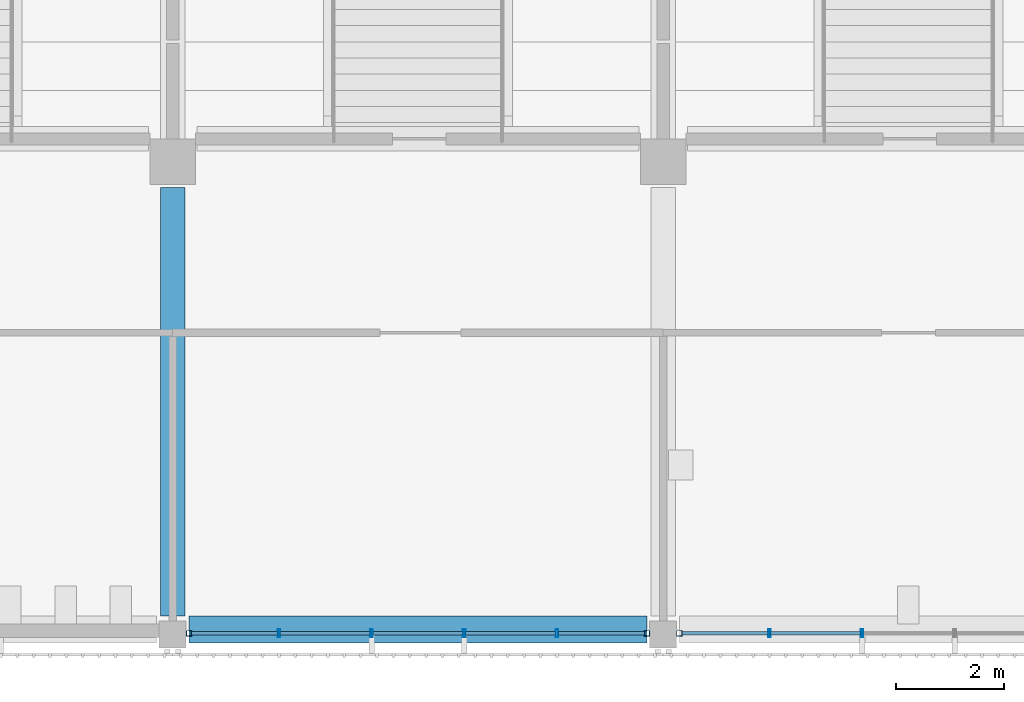
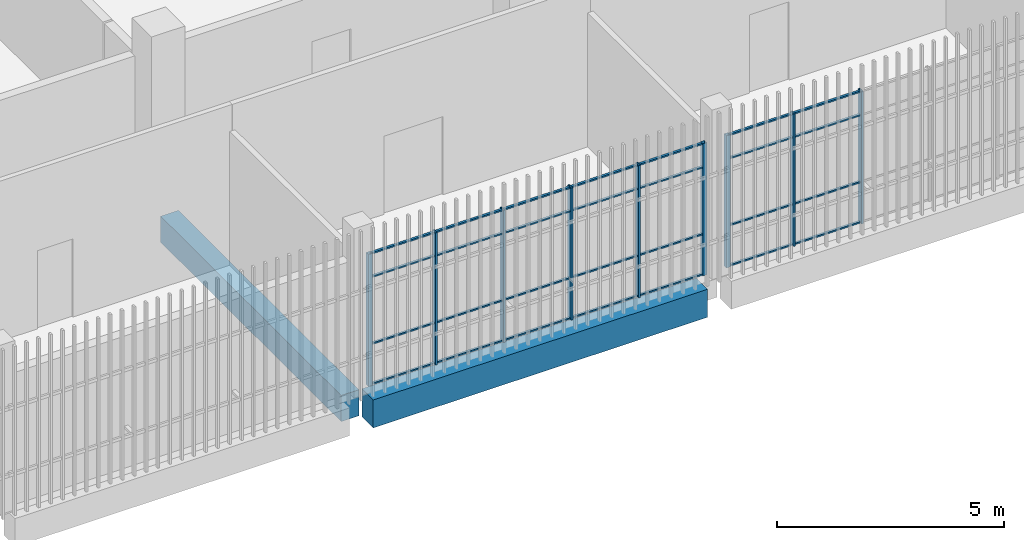
# One storey, part 22 of 139: 37 members, 2 beams, 2 elements without a shape of their own.
"""IFC4 building model written with IfcOpenShell, lengths in metres."""

import ifcopenshell
import ifcopenshell.guid

model = None  # the IFC model being written
_history = None  # IfcOwnerHistory: only IFC2X3 demands one
_inside = {}  # id of a spatial element -> (the spatial element, [elements in it])
_under = {}  # id of a project, library or spatial element -> (it, [spatial elements below it])
_declared = {}  # id of a project -> (the project, [libraries it declares])
_typed = {}  # id of a type object -> (the type object, [elements of that type])
_made_of = {}  # id of a material, layer set ... -> (it, [elements and type objects made of it])


def new_model(schema):
    """Start an empty IFC model of exactly this schema.

    Asked for "IFC4X3", IfcOpenShell would pick the latest addendum, in which some entities
    have other attributes; the version numbers below select the first issue.
    IFC2X3 requires an IfcOwnerHistory on every rooted entity: one is made here for all.
    """
    global model, _history
    if schema == "IFC4X3":
        model = ifcopenshell.file(schema_version=(4, 3, 0, 0))
    else:
        model = ifcopenshell.file(schema=schema)
    _inside.clear()
    _under.clear()
    _declared.clear()
    _typed.clear()
    _made_of.clear()
    _history = None
    if model.schema == "IFC2X3":
        org = make("IfcOrganization", Name="unknown")
        user = make(
            "IfcPersonAndOrganization",
            ThePerson=make("IfcPerson", FamilyName="unknown"),
            TheOrganization=org,
        )
        app = make(
            "IfcApplication",
            ApplicationDeveloper=org,
            Version="unknown",
            ApplicationFullName="unknown",
            ApplicationIdentifier="unknown",
        )
        _history = make(
            "IfcOwnerHistory",
            OwningUser=user,
            OwningApplication=app,
            ChangeAction="ADDED",
            CreationDate=0,
        )
    return model


def make(cls, **values):
    """One entity of the class cls with the attributes given. An attribute that is None is left unset."""
    return model.create_entity(
        cls, **{name: value for name, value in values.items() if value is not None}
    )


def rooted(cls, **values):
    """An entity with a GlobalId (a new one), such as an element, a storey or a relation."""
    return make(cls, GlobalId=ifcopenshell.guid.new(), OwnerHistory=_history, **values)


def si_unit(unit_type, name, prefix=None):
    """IfcSIUnit, for example si_unit("LENGTHUNIT", "METRE", prefix="MILLI")."""
    return make("IfcSIUnit", UnitType=unit_type, Prefix=prefix, Name=name)


def assignment(units):
    """IfcUnitAssignment: the units of a project."""
    return None if units is None else make("IfcUnitAssignment", Units=units)


def point(xyz):
    """IfcCartesianPoint."""
    return None if xyz is None else make("IfcCartesianPoint", Coordinates=xyz)


def direction(xyz):
    """IfcDirection."""
    return None if xyz is None else make("IfcDirection", DirectionRatios=xyz)


def frame(location, z_axis=None, x_axis=None):
    """IfcAxis2Placement3D, a coordinate frame: its origin and axes. An axis left out is left unset."""
    return make(
        "IfcAxis2Placement3D",
        Location=point(location),
        Axis=direction(z_axis),
        RefDirection=direction(x_axis),
    )


def frame_2d(location, x_axis=None):
    """IfcAxis2Placement2D, a coordinate frame in the plane: its origin and x axis."""
    return make(
        "IfcAxis2Placement2D", Location=point(location), RefDirection=direction(x_axis)
    )


def origin():
    """The frame at (0, 0, 0) with its axes left unset."""
    return frame((0.0, 0.0, 0.0))


def origin_2d():
    """The frame at (0, 0) in the plane with its x axis left unset."""
    return frame_2d((0.0, 0.0))


def place(relative_to, where):
    """IfcLocalPlacement: puts the frame where relative to a parent placement (None: the world)."""
    return make(
        "IfcLocalPlacement", PlacementRelTo=relative_to, RelativePlacement=where
    )


def context(
    kind, dimensions, precision=None, world=None, true_north=None, identifier=None
):
    """IfcGeometricRepresentationContext, for example the 3D "Model" context."""
    return make(
        "IfcGeometricRepresentationContext",
        ContextIdentifier=identifier,
        ContextType=kind,
        CoordinateSpaceDimension=dimensions,
        Precision=precision,
        WorldCoordinateSystem=world,
        TrueNorth=true_north,
    )


def subcontext(parent, identifier, kind, view, scale=None):
    """IfcGeometricRepresentationSubContext, for example "Body" below "Model"."""
    return make(
        "IfcGeometricRepresentationSubContext",
        ContextIdentifier=identifier,
        ContextType=kind,
        ParentContext=parent,
        TargetScale=scale,
        TargetView=view,
    )


def project(units=None, contexts=None):
    """IfcProject with its units and contexts."""
    return rooted(
        "IfcProject",
        Name="project",
        RepresentationContexts=contexts,
        UnitsInContext=assignment(units),
    )


def spatial(cls, under=None, at=None, **own):
    """A site, building, storey or space (cls), placed at a placement, below another one or the project."""
    s = rooted(cls, ObjectPlacement=at, **own)
    if under is not None:
        _under.setdefault(under.id(), (under, []))[1].append(s)
    return s


def profile(cls, at=None, kind="AREA", **sizes):
    """A parametric profile (cls). Its sizes go by their IFC names, for example OverallWidth=200.0."""
    return make(cls, ProfileType=kind, Position=at, **sizes)


def rectangle(**sizes):
    """IfcRectangleProfileDef."""
    return profile("IfcRectangleProfileDef", **sizes)


def hollow_rectangle(**sizes):
    """IfcRectangleHollowProfileDef."""
    return profile("IfcRectangleHollowProfileDef", **sizes)


def extrude(swept, where, along, depth):
    """IfcExtrudedAreaSolid: the profile swept, set in the frame where, extruded along a direction by depth."""
    return make(
        "IfcExtrudedAreaSolid",
        SweptArea=swept,
        Position=where,
        ExtrudedDirection=direction(along),
        Depth=depth,
    )


def shape(context_of_items, identifier, shape_type, items):
    """IfcShapeRepresentation: the items that make up one representation, for example the "Body"."""
    return make(
        "IfcShapeRepresentation",
        ContextOfItems=context_of_items,
        RepresentationIdentifier=identifier,
        RepresentationType=shape_type,
        Items=items,
    )


def material(Name=None, Category=None):
    """IfcMaterial."""
    return make("IfcMaterial", Name=Name, Category=Category)


def layer(
    of_material, thickness, ventilated=None, Name=None, Category=None, Priority=None
):
    """IfcMaterialLayer: one layer of a wall or slab, of a material (None: an air gap)."""
    return make(
        "IfcMaterialLayer",
        Material=of_material,
        LayerThickness=thickness,
        IsVentilated=ventilated,
        Name=Name,
        Category=Category,
        Priority=Priority,
    )


def layer_set(layers, Name=None):
    """IfcMaterialLayerSet."""
    return make("IfcMaterialLayerSet", MaterialLayers=layers, LayerSetName=Name)


def material_profile(
    of_material, cross_section, Name=None, Category=None, Priority=None
):
    """IfcMaterialProfile: a cross section and its material."""
    return make(
        "IfcMaterialProfile",
        Name=Name,
        Material=of_material,
        Profile=cross_section,
        Priority=Priority,
        Category=Category,
    )


def profile_set(profiles, Name=None, composite=None):
    """IfcMaterialProfileSet."""
    return make(
        "IfcMaterialProfileSet",
        Name=Name,
        MaterialProfiles=profiles,
        CompositeProfile=composite,
    )


def made_of(thing, what):
    """Note that an element or type object is made of a material, layer set ...; save() writes the relation."""
    if what is not None:
        _made_of.setdefault(what.id(), (what, []))[1].append(thing)
    return thing


def type_object(cls, material=None, **own):
    """A type object (cls), such as IfcWallType, which elements share."""
    return made_of(rooted(cls, **own), material)


def element(
    cls,
    number,
    at=None,
    inside=None,
    cuts=None,
    type_object=None,
    material=None,
    context=None,
    identifier="Body",
    shape_type=None,
    held_by="IfcProductDefinitionShape",
    body=None,
    shapes=None,
    **own,
):
    """One element of the class cls, such as IfcWall. Its Tag is "e" and its number.

    at: its placement. inside: the storey or other place that contains it. cuts: it is an
    opening in that element (IfcRelVoidsElement). A single representation is given by context,
    identifier, shape_type and body (its items); several are given by shapes. held_by: the class
    of the entity that holds the representations. save() writes the other relations.
    """
    e = rooted(cls, Tag="e%d" % number, ObjectPlacement=at, **own)
    if body is not None:
        shapes = [shape(context, identifier, shape_type, body)]
    if shapes is not None:
        e.Representation = make(held_by, Representations=shapes)
    if inside is not None:
        _inside.setdefault(inside.id(), (inside, []))[1].append(e)
    if cuts is not None:
        rooted(
            "IfcRelVoidsElement", RelatingBuildingElement=cuts, RelatedOpeningElement=e
        )
    if type_object is not None:
        _typed.setdefault(type_object.id(), (type_object, []))[1].append(e)
    return made_of(e, material)


def aggregate(whole, parts):
    """IfcRelAggregates: a whole, such as a stair, and the parts it consists of."""
    return rooted("IfcRelAggregates", RelatingObject=whole, RelatedObjects=parts)


def save(model, path):
    """Write the relations noted so far, then the file.

    IfcRelAggregates (storeys below a building ...), IfcRelContainedInSpatialStructure (elements
    in a storey), IfcRelDefinesByType, IfcRelAssociatesMaterial and IfcRelDeclares: one each for
    every whole, place, type object, material and project.
    """
    for whole, parts in _under.values():
        aggregate(whole, parts)
    for where, things in _inside.values():
        rooted(
            "IfcRelContainedInSpatialStructure",
            RelatedElements=things,
            RelatingStructure=where,
        )
    for kind, things in _typed.values():
        rooted("IfcRelDefinesByType", RelatedObjects=things, RelatingType=kind)
    for what, things in _made_of.values():
        rooted("IfcRelAssociatesMaterial", RelatedObjects=things, RelatingMaterial=what)
    for by, libraries in _declared.values():
        rooted("IfcRelDeclares", RelatingContext=by, RelatedDefinitions=libraries)
    model.write(path)


model = new_model("IFC4")

# Units and contexts
model_context = context("Model", 3, precision=1e-05, world=origin(), true_north=direction((0.0, 1.0)))
body_context = subcontext(model_context, "Body", "Model", "MODEL_VIEW")
ifc_project = project(units=[si_unit("LENGTHUNIT", "METRE"), si_unit("AREAUNIT", "SQUARE_METRE"), si_unit("VOLUMEUNIT", "CUBIC_METRE"), si_unit("PLANEANGLEUNIT", "RADIAN"), si_unit("MASSUNIT", "GRAM", prefix="KILO")], contexts=[model_context])

# Site, building, storey
site_placement = place(None, origin())
site = spatial("IfcSite", under=ifc_project, at=site_placement, CompositionType="ELEMENT")
building_placement = place(site_placement, origin())
building = spatial("IfcBuilding", under=site, at=building_placement, Name="Shirokan Park Arena", CompositionType="ELEMENT")
storey_placement = place(building_placement, frame((0.0, 0.0, 15.469970703125)))
storey = spatial("IfcBuildingStorey", under=building, at=storey_placement, Name="L03", CompositionType="ELEMENT", Elevation=15.469970703125)

# Curtain wall, members
ifc_material_1 = material(Name="Steel and glass curtain wall", Category="steel")
ifc_layer = layer(ifc_material_1, 0.14990234375)
ifc_layer_set = layer_set([ifc_layer], Name="Steel and glass curtain wall 150 mm")
curtain_wall_type = type_object("IfcCurtainWallType", Name="Curtain wall exposed bay 150", PredefinedType="NOTDEFINED", material=ifc_layer_set)
curtain_wall_1_placement = place(storey_placement, origin())
curtain_wall_1 = element("IfcCurtainWall", 1, at=curtain_wall_1_placement, inside=storey, type_object=curtain_wall_type, Name="Curtain wall south bay 8 L03", PredefinedType="NOTDEFINED")
ifc_material_2 = material(Name="Steel S355", Category="steel")
ifc_material_profile_1 = material_profile(ifc_material_2, hollow_rectangle(XDim=0.10009765625, YDim=0.10009765625, WallThickness=0.006103515625, at=origin_2d()), Name="RHS 100x100x6")
ifc_profile_set_1 = profile_set([ifc_material_profile_1], Name="Steel S355")
member_type_1 = type_object("IfcMemberType", Name="Mullion RHS 100x100x6", PredefinedType="MULLION", material=ifc_profile_set_1)
member_1_placement = place(storey_placement, frame((64.0, -0.074951171875, 0.0), z_axis=(0.0, 0.0, 1.0), x_axis=(0.0, 1.0, 0.0)))
member_1 = element("IfcMember", 2, at=member_1_placement, type_object=member_type_1, Name="CW1 mullion 1", PredefinedType="MULLION", context=body_context, shape_type="SweptSolid", body=[
    extrude(hollow_rectangle(XDim=0.10009765625, YDim=0.10009765625, WallThickness=0.006103515625, at=origin_2d()), origin(), (0.0, 0.0, 1.0), 3.550048828125),
])
member_2_placement = place(storey_placement, frame((72.5, -0.074951171875, 0.0), z_axis=(0.0, 0.0, 1.0), x_axis=(0.0, 1.0, 0.0)))
member_2 = element("IfcMember", 3, at=member_2_placement, type_object=member_type_1, Name="CW1 mullion 6", PredefinedType="MULLION", context=body_context, shape_type="SweptSolid", body=[
    extrude(hollow_rectangle(XDim=0.10009765625, YDim=0.10009765625, WallThickness=0.006103515625, at=origin_2d()), origin(), (0.0, 0.0, 1.0), 3.550048828125),
])

# Curtain wall, member
curtain_wall_2_placement = place(storey_placement, origin())
curtain_wall_2 = element("IfcCurtainWall", 4, at=curtain_wall_2_placement, inside=storey, type_object=curtain_wall_type, Name="Curtain wall south bay 9 L03", PredefinedType="NOTDEFINED")
member_3_placement = place(storey_placement, frame((73.10009765625, -0.074951171875, 0.0), z_axis=(0.0, 0.0, 1.0), x_axis=(0.0, 1.0, 0.0)))
member_3 = element("IfcMember", 5, at=member_3_placement, type_object=member_type_1, Name="CW1 mullion 1", PredefinedType="MULLION", context=body_context, shape_type="SweptSolid", body=[
    extrude(hollow_rectangle(XDim=0.10009765625, YDim=0.10009765625, WallThickness=0.006103515625, at=origin_2d()), origin(), (0.0, 0.0, 1.0), 3.550048828125),
])

# Member
ifc_material_profile_2 = material_profile(ifc_material_2, hollow_rectangle(XDim=0.14990234375, YDim=0.050048828125, WallThickness=0.006103515625, at=origin_2d()), Name="RHS 150x50x6")
ifc_profile_set_2 = profile_set([ifc_material_profile_2], Name="Steel S355")
member_type_2 = type_object("IfcMemberType", Name="Mullion RHS 150x50x6", PredefinedType="MULLION", material=ifc_profile_set_2)
member_4_placement = place(storey_placement, frame((65.669921875, -0.074951171875, 0.0), z_axis=(0.0, 0.0, 1.0), x_axis=(0.0, 1.0, 0.0)))
member_4 = element("IfcMember", 6, at=member_4_placement, type_object=member_type_2, Name="CW1 mullion 2", PredefinedType="MULLION", context=body_context, shape_type="SweptSolid", body=[
    extrude(hollow_rectangle(XDim=0.14990234375, YDim=0.050048828125, WallThickness=0.006103515625, at=origin_2d()), origin(), (0.0, 0.0, 1.0), 3.550048828125),
])

member_5_placement = place(storey_placement, frame((67.389892578125, -0.074951171875, 0.0), z_axis=(0.0, 0.0, 1.0), x_axis=(0.0, 1.0, 0.0)))
member_5 = element("IfcMember", 7, at=member_5_placement, type_object=member_type_2, Name="CW1 mullion 3", PredefinedType="MULLION", context=body_context, shape_type="SweptSolid", body=[
    extrude(hollow_rectangle(XDim=0.14990234375, YDim=0.050048828125, WallThickness=0.006103515625, at=origin_2d()), origin(), (0.0, 0.0, 1.0), 3.550048828125),
])

member_6_placement = place(storey_placement, frame((69.110107421875, -0.074951171875, 0.0), z_axis=(0.0, 0.0, 1.0), x_axis=(0.0, 1.0, 0.0)))
member_6 = element("IfcMember", 8, at=member_6_placement, type_object=member_type_2, Name="CW1 mullion 4", PredefinedType="MULLION", context=body_context, shape_type="SweptSolid", body=[
    extrude(hollow_rectangle(XDim=0.14990234375, YDim=0.050048828125, WallThickness=0.006103515625, at=origin_2d()), origin(), (0.0, 0.0, 1.0), 3.550048828125),
])

member_7_placement = place(storey_placement, frame((70.830078125, -0.074951171875, 0.0), z_axis=(0.0, 0.0, 1.0), x_axis=(0.0, 1.0, 0.0)))
member_7 = element("IfcMember", 9, at=member_7_placement, type_object=member_type_2, Name="CW1 mullion 5", PredefinedType="MULLION", context=body_context, shape_type="SweptSolid", body=[
    extrude(hollow_rectangle(XDim=0.14990234375, YDim=0.050048828125, WallThickness=0.006103515625, at=origin_2d()), origin(), (0.0, 0.0, 1.0), 3.550048828125),
])

member_8_placement = place(storey_placement, frame((74.77001953125, -0.074951171875, 0.0), z_axis=(0.0, 0.0, 1.0), x_axis=(0.0, 1.0, 0.0)))
member_8 = element("IfcMember", 10, at=member_8_placement, type_object=member_type_2, Name="CW1 mullion 2", PredefinedType="MULLION", context=body_context, shape_type="SweptSolid", body=[
    extrude(hollow_rectangle(XDim=0.14990234375, YDim=0.050048828125, WallThickness=0.006103515625, at=origin_2d()), origin(), (0.0, 0.0, 1.0), 3.550048828125),
])

member_9_placement = place(storey_placement, frame((76.489990234375, -0.074951171875, 0.0), z_axis=(0.0, 0.0, 1.0), x_axis=(0.0, 1.0, 0.0)))
member_9 = element("IfcMember", 11, at=member_9_placement, type_object=member_type_2, Name="CW1 mullion 3", PredefinedType="MULLION", context=body_context, shape_type="SweptSolid", body=[
    extrude(hollow_rectangle(XDim=0.14990234375, YDim=0.050048828125, WallThickness=0.006103515625, at=origin_2d()), origin(), (0.0, 0.0, 1.0), 3.550048828125),
])

# Beams
ifc_material_3 = material(Name="Concrete C35", Category="concrete")
ifc_material_profile_3 = material_profile(ifc_material_3, rectangle(XDim=0.449951171875, YDim=0.699951171875, at=origin_2d()), Name="450x700")
ifc_profile_set_3 = profile_set([ifc_material_profile_3], Name="Concrete C35")
beam_type_1 = type_object("IfcBeamType", Name="RC girder 450x700", PredefinedType="BEAM", material=ifc_profile_set_3)
beam_1_placement = place(storey_placement, frame((63.699951171875, 0.25, -0.64990234375), z_axis=(0.0, 1.0, 0.0), x_axis=(-1.0, 0.0, 0.0)))
element("IfcBeam", 12, at=beam_1_placement, inside=storey, type_object=beam_type_1, Name="Girder 8A-8B L03", PredefinedType="BEAM", context=body_context, shape_type="SweptSolid", body=[
    extrude(rectangle(XDim=0.449951171875, YDim=0.699951171875, at=origin_2d()), origin(), (0.0, 0.0, 1.0), 7.949951171875),
])
ifc_material_profile_4 = material_profile(ifc_material_3, rectangle(XDim=0.5, YDim=0.75, at=origin_2d()), Name="500x750")
ifc_profile_set_4 = profile_set([ifc_material_profile_4], Name="Concrete C35")
beam_type_2 = type_object("IfcBeamType", Name="RC girder 500x750", PredefinedType="BEAM", material=ifc_profile_set_4)
beam_2_placement = place(storey_placement, frame((64.0, 0.0, -0.675048828125), z_axis=(1.0, 0.0, 0.0), x_axis=(0.0, 1.0, 0.0)))
element("IfcBeam", 13, at=beam_2_placement, inside=storey, type_object=beam_type_2, Name="Girder 8A-9A L03", PredefinedType="BEAM", context=body_context, shape_type="SweptSolid", body=[
    extrude(rectangle(XDim=0.5, YDim=0.75, at=origin_2d()), origin(), (0.0, 0.0, 1.0), 8.5),
])

# Member
ifc_material_profile_5 = material_profile(ifc_material_2, hollow_rectangle(XDim=0.06005859375, YDim=0.0400390625, WallThickness=0.00390625, at=origin_2d()), Name="RHS 60x40x4")
ifc_profile_set_5 = profile_set([ifc_material_profile_5], Name="Steel S355")
member_type_3 = type_object("IfcMemberType", Name="Transom RHS 60x40x4", PredefinedType="MULLION", material=ifc_profile_set_5)
member_10_placement = place(storey_placement, frame((64.050048828125, -0.074951171875, 0.02001953125), z_axis=(1.0, 0.0, 0.0), x_axis=(0.0, 1.0, 0.0)))
member_10 = element("IfcMember", 14, at=member_10_placement, type_object=member_type_3, Name="CW1 transom 1.1", PredefinedType="MULLION", context=body_context, shape_type="SweptSolid", body=[
    extrude(hollow_rectangle(XDim=0.06005859375, YDim=0.0400390625, WallThickness=0.00390625, at=origin_2d()), origin(), (0.0, 0.0, 1.0), 1.594970703125),
])

member_11_placement = place(storey_placement, frame((64.050048828125, -0.074951171875, 1.10009765625), z_axis=(1.0, 0.0, 0.0), x_axis=(0.0, 1.0, 0.0)))
member_11 = element("IfcMember", 15, at=member_11_placement, type_object=member_type_3, Name="CW1 transom 1.2", PredefinedType="MULLION", context=body_context, shape_type="SweptSolid", body=[
    extrude(hollow_rectangle(XDim=0.06005859375, YDim=0.0400390625, WallThickness=0.00390625, at=origin_2d()), origin(), (0.0, 0.0, 1.0), 1.594970703125),
])

member_12_placement = place(storey_placement, frame((64.050048828125, -0.074951171875, 2.900146484375), z_axis=(1.0, 0.0, 0.0), x_axis=(0.0, 1.0, 0.0)))
member_12 = element("IfcMember", 16, at=member_12_placement, type_object=member_type_3, Name="CW1 transom 1.3", PredefinedType="MULLION", context=body_context, shape_type="SweptSolid", body=[
    extrude(hollow_rectangle(XDim=0.06005859375, YDim=0.0400390625, WallThickness=0.00390625, at=origin_2d()), origin(), (0.0, 0.0, 1.0), 1.594970703125),
])

member_13_placement = place(storey_placement, frame((64.050048828125, -0.074951171875, 3.530029296875), z_axis=(1.0, 0.0, 0.0), x_axis=(0.0, 1.0, 0.0)))
member_13 = element("IfcMember", 17, at=member_13_placement, type_object=member_type_3, Name="CW1 transom 1.4", PredefinedType="MULLION", context=body_context, shape_type="SweptSolid", body=[
    extrude(hollow_rectangle(XDim=0.06005859375, YDim=0.0400390625, WallThickness=0.00390625, at=origin_2d()), origin(), (0.0, 0.0, 1.0), 1.594970703125),
])

member_14_placement = place(storey_placement, frame((65.695068359375, -0.074951171875, 0.02001953125), z_axis=(1.0, 0.0, 0.0), x_axis=(0.0, 1.0, 0.0)))
member_14 = element("IfcMember", 18, at=member_14_placement, type_object=member_type_3, Name="CW1 transom 2.1", PredefinedType="MULLION", context=body_context, shape_type="SweptSolid", body=[
    extrude(hollow_rectangle(XDim=0.06005859375, YDim=0.0400390625, WallThickness=0.00390625, at=origin_2d()), origin(), (0.0, 0.0, 1.0), 1.669921875),
])

member_15_placement = place(storey_placement, frame((65.695068359375, -0.074951171875, 1.10009765625), z_axis=(1.0, 0.0, 0.0), x_axis=(0.0, 1.0, 0.0)))
member_15 = element("IfcMember", 19, at=member_15_placement, type_object=member_type_3, Name="CW1 transom 2.2", PredefinedType="MULLION", context=body_context, shape_type="SweptSolid", body=[
    extrude(hollow_rectangle(XDim=0.06005859375, YDim=0.0400390625, WallThickness=0.00390625, at=origin_2d()), origin(), (0.0, 0.0, 1.0), 1.669921875),
])

member_16_placement = place(storey_placement, frame((65.695068359375, -0.074951171875, 2.900146484375), z_axis=(1.0, 0.0, 0.0), x_axis=(0.0, 1.0, 0.0)))
member_16 = element("IfcMember", 20, at=member_16_placement, type_object=member_type_3, Name="CW1 transom 2.3", PredefinedType="MULLION", context=body_context, shape_type="SweptSolid", body=[
    extrude(hollow_rectangle(XDim=0.06005859375, YDim=0.0400390625, WallThickness=0.00390625, at=origin_2d()), origin(), (0.0, 0.0, 1.0), 1.669921875),
])

member_17_placement = place(storey_placement, frame((65.695068359375, -0.074951171875, 3.530029296875), z_axis=(1.0, 0.0, 0.0), x_axis=(0.0, 1.0, 0.0)))
member_17 = element("IfcMember", 21, at=member_17_placement, type_object=member_type_3, Name="CW1 transom 2.4", PredefinedType="MULLION", context=body_context, shape_type="SweptSolid", body=[
    extrude(hollow_rectangle(XDim=0.06005859375, YDim=0.0400390625, WallThickness=0.00390625, at=origin_2d()), origin(), (0.0, 0.0, 1.0), 1.669921875),
])

member_18_placement = place(storey_placement, frame((67.4150390625, -0.074951171875, 0.02001953125), z_axis=(1.0, 0.0, 0.0), x_axis=(0.0, 1.0, 0.0)))
member_18 = element("IfcMember", 22, at=member_18_placement, type_object=member_type_3, Name="CW1 transom 3.1", PredefinedType="MULLION", context=body_context, shape_type="SweptSolid", body=[
    extrude(hollow_rectangle(XDim=0.06005859375, YDim=0.0400390625, WallThickness=0.00390625, at=origin_2d()), origin(), (0.0, 0.0, 1.0), 1.669921875),
])

member_19_placement = place(storey_placement, frame((67.4150390625, -0.074951171875, 1.10009765625), z_axis=(1.0, 0.0, 0.0), x_axis=(0.0, 1.0, 0.0)))
member_19 = element("IfcMember", 23, at=member_19_placement, type_object=member_type_3, Name="CW1 transom 3.2", PredefinedType="MULLION", context=body_context, shape_type="SweptSolid", body=[
    extrude(hollow_rectangle(XDim=0.06005859375, YDim=0.0400390625, WallThickness=0.00390625, at=origin_2d()), origin(), (0.0, 0.0, 1.0), 1.669921875),
])

member_20_placement = place(storey_placement, frame((67.4150390625, -0.074951171875, 2.900146484375), z_axis=(1.0, 0.0, 0.0), x_axis=(0.0, 1.0, 0.0)))
member_20 = element("IfcMember", 24, at=member_20_placement, type_object=member_type_3, Name="CW1 transom 3.3", PredefinedType="MULLION", context=body_context, shape_type="SweptSolid", body=[
    extrude(hollow_rectangle(XDim=0.06005859375, YDim=0.0400390625, WallThickness=0.00390625, at=origin_2d()), origin(), (0.0, 0.0, 1.0), 1.669921875),
])

member_21_placement = place(storey_placement, frame((67.4150390625, -0.074951171875, 3.530029296875), z_axis=(1.0, 0.0, 0.0), x_axis=(0.0, 1.0, 0.0)))
member_21 = element("IfcMember", 25, at=member_21_placement, type_object=member_type_3, Name="CW1 transom 3.4", PredefinedType="MULLION", context=body_context, shape_type="SweptSolid", body=[
    extrude(hollow_rectangle(XDim=0.06005859375, YDim=0.0400390625, WallThickness=0.00390625, at=origin_2d()), origin(), (0.0, 0.0, 1.0), 1.669921875),
])

member_22_placement = place(storey_placement, frame((69.135009765625, -0.074951171875, 0.02001953125), z_axis=(1.0, 0.0, 0.0), x_axis=(0.0, 1.0, 0.0)))
member_22 = element("IfcMember", 26, at=member_22_placement, type_object=member_type_3, Name="CW1 transom 4.1", PredefinedType="MULLION", context=body_context, shape_type="SweptSolid", body=[
    extrude(hollow_rectangle(XDim=0.06005859375, YDim=0.0400390625, WallThickness=0.00390625, at=origin_2d()), origin(), (0.0, 0.0, 1.0), 1.669921875),
])

member_23_placement = place(storey_placement, frame((69.135009765625, -0.074951171875, 1.10009765625), z_axis=(1.0, 0.0, 0.0), x_axis=(0.0, 1.0, 0.0)))
member_23 = element("IfcMember", 27, at=member_23_placement, type_object=member_type_3, Name="CW1 transom 4.2", PredefinedType="MULLION", context=body_context, shape_type="SweptSolid", body=[
    extrude(hollow_rectangle(XDim=0.06005859375, YDim=0.0400390625, WallThickness=0.00390625, at=origin_2d()), origin(), (0.0, 0.0, 1.0), 1.669921875),
])

member_24_placement = place(storey_placement, frame((69.135009765625, -0.074951171875, 2.900146484375), z_axis=(1.0, 0.0, 0.0), x_axis=(0.0, 1.0, 0.0)))
member_24 = element("IfcMember", 28, at=member_24_placement, type_object=member_type_3, Name="CW1 transom 4.3", PredefinedType="MULLION", context=body_context, shape_type="SweptSolid", body=[
    extrude(hollow_rectangle(XDim=0.06005859375, YDim=0.0400390625, WallThickness=0.00390625, at=origin_2d()), origin(), (0.0, 0.0, 1.0), 1.669921875),
])

member_25_placement = place(storey_placement, frame((69.135009765625, -0.074951171875, 3.530029296875), z_axis=(1.0, 0.0, 0.0), x_axis=(0.0, 1.0, 0.0)))
member_25 = element("IfcMember", 29, at=member_25_placement, type_object=member_type_3, Name="CW1 transom 4.4", PredefinedType="MULLION", context=body_context, shape_type="SweptSolid", body=[
    extrude(hollow_rectangle(XDim=0.06005859375, YDim=0.0400390625, WallThickness=0.00390625, at=origin_2d()), origin(), (0.0, 0.0, 1.0), 1.669921875),
])

member_26_placement = place(storey_placement, frame((70.85498046875, -0.074951171875, 0.02001953125), z_axis=(1.0, 0.0, 0.0), x_axis=(0.0, 1.0, 0.0)))
member_26 = element("IfcMember", 30, at=member_26_placement, type_object=member_type_3, Name="CW1 transom 5.1", PredefinedType="MULLION", context=body_context, shape_type="SweptSolid", body=[
    extrude(hollow_rectangle(XDim=0.06005859375, YDim=0.0400390625, WallThickness=0.00390625, at=origin_2d()), origin(), (0.0, 0.0, 1.0), 1.594970703125),
])

member_27_placement = place(storey_placement, frame((70.85498046875, -0.074951171875, 1.10009765625), z_axis=(1.0, 0.0, 0.0), x_axis=(0.0, 1.0, 0.0)))
member_27 = element("IfcMember", 31, at=member_27_placement, type_object=member_type_3, Name="CW1 transom 5.2", PredefinedType="MULLION", context=body_context, shape_type="SweptSolid", body=[
    extrude(hollow_rectangle(XDim=0.06005859375, YDim=0.0400390625, WallThickness=0.00390625, at=origin_2d()), origin(), (0.0, 0.0, 1.0), 1.594970703125),
])

member_28_placement = place(storey_placement, frame((70.85498046875, -0.074951171875, 2.900146484375), z_axis=(1.0, 0.0, 0.0), x_axis=(0.0, 1.0, 0.0)))
member_28 = element("IfcMember", 32, at=member_28_placement, type_object=member_type_3, Name="CW1 transom 5.3", PredefinedType="MULLION", context=body_context, shape_type="SweptSolid", body=[
    extrude(hollow_rectangle(XDim=0.06005859375, YDim=0.0400390625, WallThickness=0.00390625, at=origin_2d()), origin(), (0.0, 0.0, 1.0), 1.594970703125),
])

member_29_placement = place(storey_placement, frame((70.85498046875, -0.074951171875, 3.530029296875), z_axis=(1.0, 0.0, 0.0), x_axis=(0.0, 1.0, 0.0)))
member_29 = element("IfcMember", 33, at=member_29_placement, type_object=member_type_3, Name="CW1 transom 5.4", PredefinedType="MULLION", context=body_context, shape_type="SweptSolid", body=[
    extrude(hollow_rectangle(XDim=0.06005859375, YDim=0.0400390625, WallThickness=0.00390625, at=origin_2d()), origin(), (0.0, 0.0, 1.0), 1.594970703125),
])

aggregate(curtain_wall_1, [member_1, member_4, member_5, member_6, member_7, member_2, member_10, member_11, member_12, member_13, member_14, member_15, member_16, member_17, member_18, member_19, member_20, member_21, member_22, member_23, member_24, member_25, member_26, member_27, member_28, member_29])

member_30_placement = place(storey_placement, frame((73.14990234375, -0.074951171875, 0.02001953125), z_axis=(1.0, 0.0, 0.0), x_axis=(0.0, 1.0, 0.0)))
member_30 = element("IfcMember", 34, at=member_30_placement, type_object=member_type_3, Name="CW1 transom 1.1", PredefinedType="MULLION", context=body_context, shape_type="SweptSolid", body=[
    extrude(hollow_rectangle(XDim=0.06005859375, YDim=0.0400390625, WallThickness=0.00390625, at=origin_2d()), origin(), (0.0, 0.0, 1.0), 1.59521484375),
])

member_31_placement = place(storey_placement, frame((73.14990234375, -0.074951171875, 1.10009765625), z_axis=(1.0, 0.0, 0.0), x_axis=(0.0, 1.0, 0.0)))
member_31 = element("IfcMember", 35, at=member_31_placement, type_object=member_type_3, Name="CW1 transom 1.2", PredefinedType="MULLION", context=body_context, shape_type="SweptSolid", body=[
    extrude(hollow_rectangle(XDim=0.06005859375, YDim=0.0400390625, WallThickness=0.00390625, at=origin_2d()), origin(), (0.0, 0.0, 1.0), 1.59521484375),
])

member_32_placement = place(storey_placement, frame((73.14990234375, -0.074951171875, 2.900146484375), z_axis=(1.0, 0.0, 0.0), x_axis=(0.0, 1.0, 0.0)))
member_32 = element("IfcMember", 36, at=member_32_placement, type_object=member_type_3, Name="CW1 transom 1.3", PredefinedType="MULLION", context=body_context, shape_type="SweptSolid", body=[
    extrude(hollow_rectangle(XDim=0.06005859375, YDim=0.0400390625, WallThickness=0.00390625, at=origin_2d()), origin(), (0.0, 0.0, 1.0), 1.59521484375),
])

member_33_placement = place(storey_placement, frame((73.14990234375, -0.074951171875, 3.530029296875), z_axis=(1.0, 0.0, 0.0), x_axis=(0.0, 1.0, 0.0)))
member_33 = element("IfcMember", 37, at=member_33_placement, type_object=member_type_3, Name="CW1 transom 1.4", PredefinedType="MULLION", context=body_context, shape_type="SweptSolid", body=[
    extrude(hollow_rectangle(XDim=0.06005859375, YDim=0.0400390625, WallThickness=0.00390625, at=origin_2d()), origin(), (0.0, 0.0, 1.0), 1.59521484375),
])

member_34_placement = place(storey_placement, frame((74.794921875, -0.074951171875, 0.02001953125), z_axis=(1.0, 0.0, 0.0), x_axis=(0.0, 1.0, 0.0)))
member_34 = element("IfcMember", 38, at=member_34_placement, type_object=member_type_3, Name="CW1 transom 2.1", PredefinedType="MULLION", context=body_context, shape_type="SweptSolid", body=[
    extrude(hollow_rectangle(XDim=0.06005859375, YDim=0.0400390625, WallThickness=0.00390625, at=origin_2d()), origin(), (0.0, 0.0, 1.0), 1.670166015625),
])

member_35_placement = place(storey_placement, frame((74.794921875, -0.074951171875, 1.10009765625), z_axis=(1.0, 0.0, 0.0), x_axis=(0.0, 1.0, 0.0)))
member_35 = element("IfcMember", 39, at=member_35_placement, type_object=member_type_3, Name="CW1 transom 2.2", PredefinedType="MULLION", context=body_context, shape_type="SweptSolid", body=[
    extrude(hollow_rectangle(XDim=0.06005859375, YDim=0.0400390625, WallThickness=0.00390625, at=origin_2d()), origin(), (0.0, 0.0, 1.0), 1.670166015625),
])

member_36_placement = place(storey_placement, frame((74.794921875, -0.074951171875, 2.900146484375), z_axis=(1.0, 0.0, 0.0), x_axis=(0.0, 1.0, 0.0)))
member_36 = element("IfcMember", 40, at=member_36_placement, type_object=member_type_3, Name="CW1 transom 2.3", PredefinedType="MULLION", context=body_context, shape_type="SweptSolid", body=[
    extrude(hollow_rectangle(XDim=0.06005859375, YDim=0.0400390625, WallThickness=0.00390625, at=origin_2d()), origin(), (0.0, 0.0, 1.0), 1.670166015625),
])

member_37_placement = place(storey_placement, frame((74.794921875, -0.074951171875, 3.530029296875), z_axis=(1.0, 0.0, 0.0), x_axis=(0.0, 1.0, 0.0)))
member_37 = element("IfcMember", 41, at=member_37_placement, type_object=member_type_3, Name="CW1 transom 2.4", PredefinedType="MULLION", context=body_context, shape_type="SweptSolid", body=[
    extrude(hollow_rectangle(XDim=0.06005859375, YDim=0.0400390625, WallThickness=0.00390625, at=origin_2d()), origin(), (0.0, 0.0, 1.0), 1.670166015625),
])

aggregate(curtain_wall_2, [member_3, member_8, member_9, member_30, member_31, member_32, member_33, member_34, member_35, member_36, member_37])

save(model, "model.ifc")
